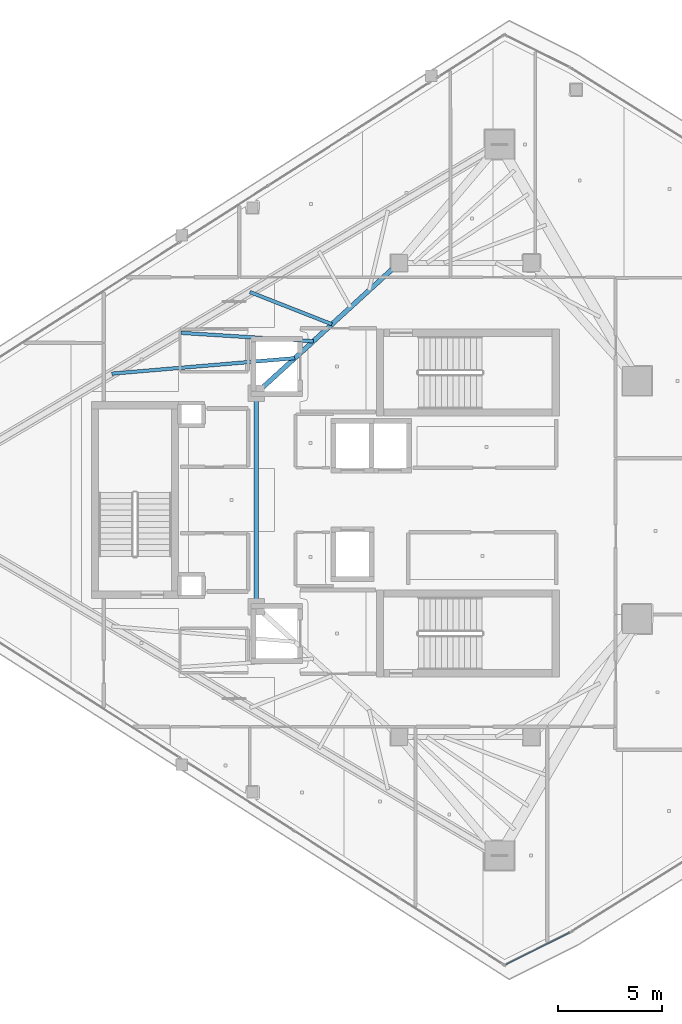
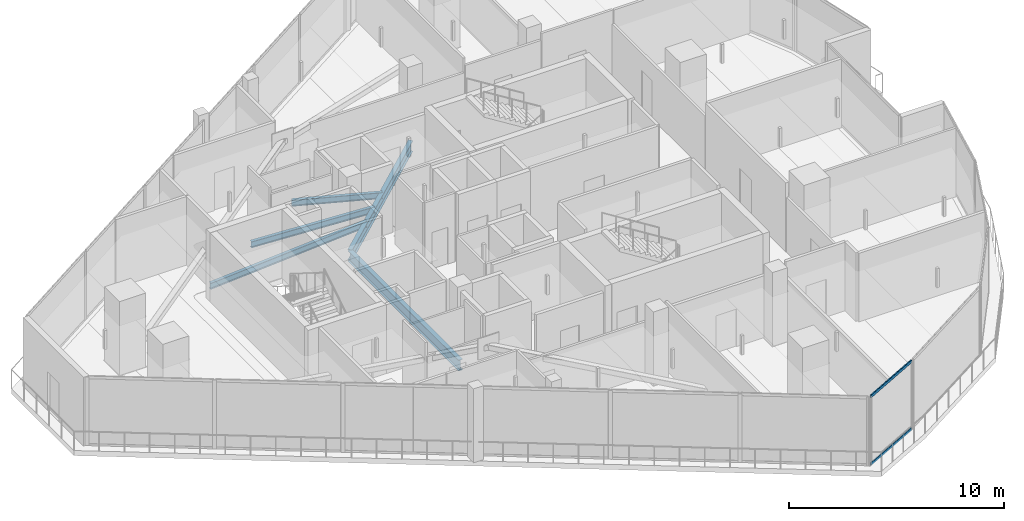
# One storey, part 9 of 30: 5 beams, 2 members, 1 element without a shape of its own.
"""IFC4 building model written with IfcOpenShell, lengths in metres."""

from ifc_helpers import new_model, si_unit, direction, frame, origin, origin_2d, place, context, subcontext, project, spatial, hollow_rectangle, i_section, extrude, material, layer, layer_set, material_profile, profile_set, type_object, element, aggregate, save


model = new_model("IFC4")

# Units and contexts
model_context = context("Model", 3, precision=1e-05, world=origin(), true_north=direction((0.0, 1.0)))
body_context = subcontext(model_context, "Body", "Model", "MODEL_VIEW")
ifc_project = project(units=[si_unit("LENGTHUNIT", "METRE"), si_unit("AREAUNIT", "SQUARE_METRE"), si_unit("VOLUMEUNIT", "CUBIC_METRE"), si_unit("PLANEANGLEUNIT", "RADIAN"), si_unit("MASSUNIT", "GRAM", prefix="KILO")], contexts=[model_context])

# Site, building, storey
site_placement = place(None, origin())
site = spatial("IfcSite", under=ifc_project, at=site_placement, CompositionType="ELEMENT")
building_placement = place(site_placement, origin())
building = spatial("IfcBuilding", under=site, at=building_placement, Name="Qorvath Tower", CompositionType="ELEMENT")
storey_placement = place(building_placement, frame((0.0, 0.0, 301.800048828125)))
storey = spatial("IfcBuildingStorey", under=building, at=storey_placement, Name="L70", CompositionType="ELEMENT", Elevation=301.800048828125)

# Beams
ifc_material_1 = material(Name="Steel ASTM A992 Grade 50", Category="steel")
ifc_material_profile_1 = material_profile(ifc_material_1, i_section(OverallWidth=0.22998046875, OverallDepth=0.616943359375, WebThickness=0.01318359375, FlangeThickness=0.022216796875, FilletRadius=0.014892578125, at=origin_2d()), Name="W24x94")
ifc_profile_set_1 = profile_set([ifc_material_profile_1], Name="Steel ASTM A992 Grade 50")
beam_type_1 = type_object("IfcBeamType", Name="BM-FG6", PredefinedType="BEAM", material=ifc_profile_set_1)
beam_1_placement = place(storey_placement, frame((-30.5, -5.14990234375, -0.5986328125), z_axis=(0.0, 1.0, 0.0), x_axis=(-1.0, 0.0, 0.0)))
element("IfcBeam", 1, at=beam_1_placement, inside=storey, type_object=beam_type_1, Name="Core Ring Girder CC6-CC5 L70", PredefinedType="BEAM", context=body_context, shape_type="SweptSolid", body=[
    extrude(i_section(OverallWidth=0.22998046875, OverallDepth=0.616943359375, WebThickness=0.01318359375, FlangeThickness=0.022216796875, FilletRadius=0.014892578125, at=origin_2d()), origin(), (0.0, 0.0, 1.0), 10.2998046875),
])
beam_2_placement = place(storey_placement, frame((-30.5, 5.14990234375, -0.5986328125), z_axis=(0.73847813985, 0.6742774184, 0.0), x_axis=(-0.6742774184, 0.73847813985, 0.0)))
element("IfcBeam", 2, at=beam_2_placement, inside=storey, type_object=beam_type_1, Name="Core Ring Girder CC5-CC1 L70", PredefinedType="BEAM", context=body_context, shape_type="SweptSolid", body=[
    extrude(i_section(OverallWidth=0.22998046875, OverallDepth=0.616943359375, WebThickness=0.01318359375, FlangeThickness=0.022216796875, FilletRadius=0.014892578125, at=origin_2d()), origin(), (0.0, 0.0, 1.0), 9.343505859375),
])
ifc_material_2 = material(Name="Steel ASTM A992 Grade 50", Category="steel")
ifc_material_profile_2 = material_profile(ifc_material_2, i_section(OverallWidth=0.1708984375, OverallDepth=0.35107421875, WebThickness=0.0068359375, FlangeThickness=0.009765625, FilletRadius=0.010009765625, at=origin_2d()), Name="W14x30")
ifc_profile_set_2 = profile_set([ifc_material_profile_2], Name="Steel ASTM A992 Grade 50")
beam_type_2 = type_object("IfcBeamType", Name="BM-FJ4", PredefinedType="JOIST", material=ifc_profile_set_2)
beam_3_placement = place(storey_placement, frame((-28.636962890625, 6.85107421875, -0.465576171875), z_axis=(-0.996436150147, -0.084350451576, 0.0), x_axis=(0.084350451576, -0.996436150147, 0.0)))
element("IfcBeam", 3, at=beam_3_placement, inside=storey, type_object=beam_type_2, Name="Composite Floor Joist NW2 L70", PredefinedType="JOIST", context=body_context, shape_type="SweptSolid", body=[
    extrude(i_section(OverallWidth=0.1708984375, OverallDepth=0.35107421875, WebThickness=0.0068359375, FlangeThickness=0.009765625, FilletRadius=0.010009765625, at=origin_2d()), origin(), (0.0, 0.0, 1.0), 8.87109375),
])
beam_4_placement = place(storey_placement, frame((-27.739990234375, 7.669921875, -0.465576171875), z_axis=(-0.998006998641, 0.063103333222, 0.0), x_axis=(-0.063103333222, -0.998006998641, 0.0)))
element("IfcBeam", 4, at=beam_4_placement, inside=storey, type_object=beam_type_2, Name="Composite Floor Joist NW3 L70", PredefinedType="JOIST", context=body_context, shape_type="SweptSolid", body=[
    extrude(i_section(OverallWidth=0.1708984375, OverallDepth=0.35107421875, WebThickness=0.0068359375, FlangeThickness=0.009765625, FilletRadius=0.010009765625, at=origin_2d()), origin(), (0.0, 0.0, 1.0), 6.41455078125),
])
beam_5_placement = place(storey_placement, frame((-26.843017578125, 8.489013671875, -0.465576171875), z_axis=(-0.930720832638, 0.365730408489, 0.0), x_axis=(-0.365730408489, -0.930720832638, 0.0)))
element("IfcBeam", 5, at=beam_5_placement, inside=storey, type_object=beam_type_2, Name="Composite Floor Joist NW4 L70", PredefinedType="JOIST", context=body_context, shape_type="SweptSolid", body=[
    extrude(i_section(OverallWidth=0.1708984375, OverallDepth=0.35107421875, WebThickness=0.0068359375, FlangeThickness=0.009765625, FilletRadius=0.010009765625, at=origin_2d()), origin(), (0.0, 0.0, 1.0), 4.259033203125),
])

# Curtain wall, members
ifc_material_3 = material(Name="Anodised aluminium and triple low-E glass", Category="aluminium")
ifc_layer = layer(ifc_material_3, 0.179931640625)
ifc_layer_set = layer_set([ifc_layer], Name="CW-SYS-4")
curtain_wall_type = type_object("IfcCurtainWallType", Name="CW-SYS-4", PredefinedType="NOTDEFINED", material=ifc_layer_set)
curtain_wall_placement = place(storey_placement, origin())
curtain_wall = element("IfcCurtainWall", 6, at=curtain_wall_placement, inside=storey, type_object=curtain_wall_type, Name="Curtain Wall CW-4 CW-T-L70-3.1", PredefinedType="NOTDEFINED")
ifc_material_4 = material(Name="Anodised aluminium 6063-T6", Category="aluminium")
ifc_material_profile_3 = material_profile(ifc_material_4, hollow_rectangle(XDim=0.06494140625, YDim=0.159912109375, WallThickness=0.00341796875, InnerFilletRadius=0.00341796875, OuterFilletRadius=0.007080078125, at=origin_2d()), Name="CWT 160x65")
ifc_profile_set_3 = profile_set([ifc_material_profile_3], Name="Anodised aluminium 6063-T6")
member_type = type_object("IfcMemberType", Name="CWT-160", PredefinedType="USERDEFINED", material=ifc_profile_set_3)
member_1_placement = place(storey_placement, frame((-18.44140625, -22.440673828125, 0.032470703125), z_axis=(0.894398795585, 0.447270381824, 0.0), x_axis=(-0.447270381824, 0.894398795585, 0.0)))
member_1 = element("IfcMember", 7, at=member_1_placement, type_object=member_type, Name="CW-4 transom 1.1", ObjectType="TRANSOM", PredefinedType="USERDEFINED", context=body_context, shape_type="SweptSolid", body=[
    extrude(hollow_rectangle(XDim=0.06494140625, YDim=0.159912109375, WallThickness=0.00341796875, InnerFilletRadius=0.00341796875, OuterFilletRadius=0.007080078125, at=origin_2d()), origin(), (0.0, 0.0, 1.0), 3.439453125),
])
member_2_placement = place(storey_placement, frame((-18.44140625, -22.440673828125, 3.87744140625), z_axis=(0.894398795585, 0.447270381824, 0.0), x_axis=(-0.447270381824, 0.894398795585, 0.0)))
member_2 = element("IfcMember", 8, at=member_2_placement, type_object=member_type, Name="CW-4 transom 1.2", ObjectType="TRANSOM", PredefinedType="USERDEFINED", context=body_context, shape_type="SweptSolid", body=[
    extrude(hollow_rectangle(XDim=0.06494140625, YDim=0.159912109375, WallThickness=0.00341796875, InnerFilletRadius=0.00341796875, OuterFilletRadius=0.007080078125, at=origin_2d()), origin(), (0.0, 0.0, 1.0), 3.439453125),
])
aggregate(curtain_wall, [member_1, member_2])

save(model, "model.ifc")
